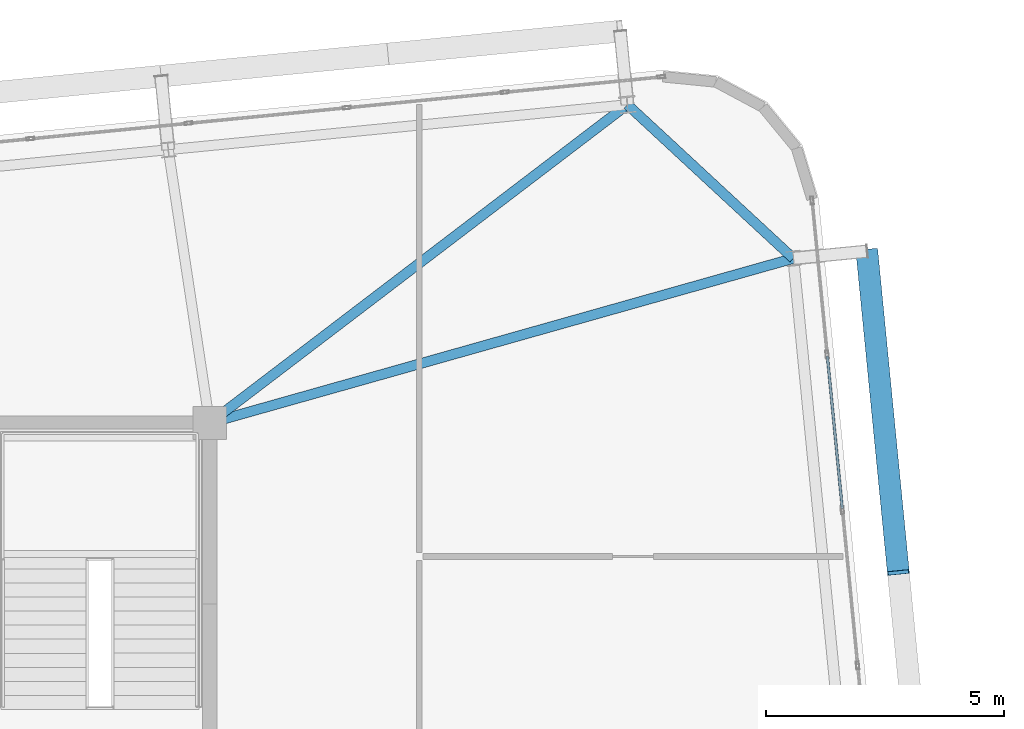
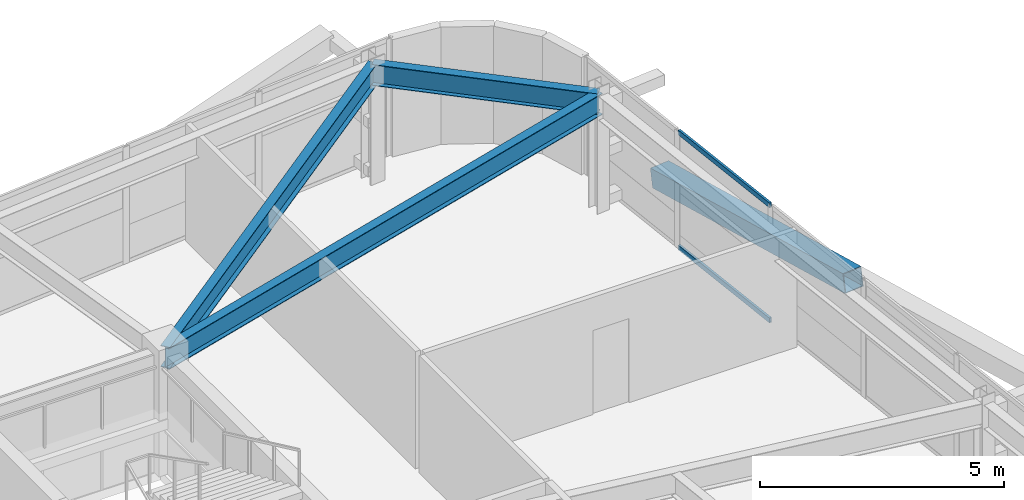
# One storey, part 34 of 54: 3 beams, 3 members, 1 element without a shape of its own.
"""IFC4 building model written with IfcOpenShell, lengths in metres."""

import ifcopenshell
import ifcopenshell.guid

model = None  # the IFC model being written
_history = None  # IfcOwnerHistory: only IFC2X3 demands one
_inside = {}  # id of a spatial element -> (the spatial element, [elements in it])
_under = {}  # id of a project, library or spatial element -> (it, [spatial elements below it])
_declared = {}  # id of a project -> (the project, [libraries it declares])
_typed = {}  # id of a type object -> (the type object, [elements of that type])
_made_of = {}  # id of a material, layer set ... -> (it, [elements and type objects made of it])


def new_model(schema):
    """Start an empty IFC model of exactly this schema.

    Asked for "IFC4X3", IfcOpenShell would pick the latest addendum, in which some entities
    have other attributes; the version numbers below select the first issue.
    IFC2X3 requires an IfcOwnerHistory on every rooted entity: one is made here for all.
    """
    global model, _history
    if schema == "IFC4X3":
        model = ifcopenshell.file(schema_version=(4, 3, 0, 0))
    else:
        model = ifcopenshell.file(schema=schema)
    _inside.clear()
    _under.clear()
    _declared.clear()
    _typed.clear()
    _made_of.clear()
    _history = None
    if model.schema == "IFC2X3":
        org = make("IfcOrganization", Name="unknown")
        user = make(
            "IfcPersonAndOrganization",
            ThePerson=make("IfcPerson", FamilyName="unknown"),
            TheOrganization=org,
        )
        app = make(
            "IfcApplication",
            ApplicationDeveloper=org,
            Version="unknown",
            ApplicationFullName="unknown",
            ApplicationIdentifier="unknown",
        )
        _history = make(
            "IfcOwnerHistory",
            OwningUser=user,
            OwningApplication=app,
            ChangeAction="ADDED",
            CreationDate=0,
        )
    return model


def make(cls, **values):
    """One entity of the class cls with the attributes given. An attribute that is None is left unset."""
    return model.create_entity(
        cls, **{name: value for name, value in values.items() if value is not None}
    )


def rooted(cls, **values):
    """An entity with a GlobalId (a new one), such as an element, a storey or a relation."""
    return make(cls, GlobalId=ifcopenshell.guid.new(), OwnerHistory=_history, **values)


def si_unit(unit_type, name, prefix=None):
    """IfcSIUnit, for example si_unit("LENGTHUNIT", "METRE", prefix="MILLI")."""
    return make("IfcSIUnit", UnitType=unit_type, Prefix=prefix, Name=name)


def assignment(units):
    """IfcUnitAssignment: the units of a project."""
    return None if units is None else make("IfcUnitAssignment", Units=units)


def point(xyz):
    """IfcCartesianPoint."""
    return None if xyz is None else make("IfcCartesianPoint", Coordinates=xyz)


def direction(xyz):
    """IfcDirection."""
    return None if xyz is None else make("IfcDirection", DirectionRatios=xyz)


def frame(location, z_axis=None, x_axis=None):
    """IfcAxis2Placement3D, a coordinate frame: its origin and axes. An axis left out is left unset."""
    return make(
        "IfcAxis2Placement3D",
        Location=point(location),
        Axis=direction(z_axis),
        RefDirection=direction(x_axis),
    )


def frame_2d(location, x_axis=None):
    """IfcAxis2Placement2D, a coordinate frame in the plane: its origin and x axis."""
    return make(
        "IfcAxis2Placement2D", Location=point(location), RefDirection=direction(x_axis)
    )


def origin():
    """The frame at (0, 0, 0) with its axes left unset."""
    return frame((0.0, 0.0, 0.0))


def origin_2d():
    """The frame at (0, 0) in the plane with its x axis left unset."""
    return frame_2d((0.0, 0.0))


def place(relative_to, where):
    """IfcLocalPlacement: puts the frame where relative to a parent placement (None: the world)."""
    return make(
        "IfcLocalPlacement", PlacementRelTo=relative_to, RelativePlacement=where
    )


def context(
    kind, dimensions, precision=None, world=None, true_north=None, identifier=None
):
    """IfcGeometricRepresentationContext, for example the 3D "Model" context."""
    return make(
        "IfcGeometricRepresentationContext",
        ContextIdentifier=identifier,
        ContextType=kind,
        CoordinateSpaceDimension=dimensions,
        Precision=precision,
        WorldCoordinateSystem=world,
        TrueNorth=true_north,
    )


def subcontext(parent, identifier, kind, view, scale=None):
    """IfcGeometricRepresentationSubContext, for example "Body" below "Model"."""
    return make(
        "IfcGeometricRepresentationSubContext",
        ContextIdentifier=identifier,
        ContextType=kind,
        ParentContext=parent,
        TargetScale=scale,
        TargetView=view,
    )


def project(units=None, contexts=None):
    """IfcProject with its units and contexts."""
    return rooted(
        "IfcProject",
        Name="project",
        RepresentationContexts=contexts,
        UnitsInContext=assignment(units),
    )


def spatial(cls, under=None, at=None, **own):
    """A site, building, storey or space (cls), placed at a placement, below another one or the project."""
    s = rooted(cls, ObjectPlacement=at, **own)
    if under is not None:
        _under.setdefault(under.id(), (under, []))[1].append(s)
    return s


def profile(cls, at=None, kind="AREA", **sizes):
    """A parametric profile (cls). Its sizes go by their IFC names, for example OverallWidth=200.0."""
    return make(cls, ProfileType=kind, Position=at, **sizes)


def hollow_rectangle(**sizes):
    """IfcRectangleHollowProfileDef."""
    return profile("IfcRectangleHollowProfileDef", **sizes)


def i_section(**sizes):
    """IfcIShapeProfileDef."""
    return profile("IfcIShapeProfileDef", **sizes)


def extrude(swept, where, along, depth):
    """IfcExtrudedAreaSolid: the profile swept, set in the frame where, extruded along a direction by depth."""
    return make(
        "IfcExtrudedAreaSolid",
        SweptArea=swept,
        Position=where,
        ExtrudedDirection=direction(along),
        Depth=depth,
    )


def shape(context_of_items, identifier, shape_type, items):
    """IfcShapeRepresentation: the items that make up one representation, for example the "Body"."""
    return make(
        "IfcShapeRepresentation",
        ContextOfItems=context_of_items,
        RepresentationIdentifier=identifier,
        RepresentationType=shape_type,
        Items=items,
    )


def source(mapping_origin, context_of_items, identifier, shape_type, items):
    """IfcRepresentationMap: a shape defined once, which mapped items show again and again."""
    return make(
        "IfcRepresentationMap",
        MappingOrigin=mapping_origin,
        MappedRepresentation=shape(context_of_items, identifier, shape_type, items),
    )


def transform(
    local_origin,
    x_axis=None,
    y_axis=None,
    z_axis=None,
    scale=None,
    scale2=None,
    scale3=None,
    uniform=True,
):
    """IfcCartesianTransformationOperator3D, or its non-uniform kind. x_axis, y_axis, z_axis: its Axis1, 2, 3."""
    if uniform:
        return make(
            "IfcCartesianTransformationOperator3D",
            Axis1=direction(x_axis),
            Axis2=direction(y_axis),
            LocalOrigin=point(local_origin),
            Scale=scale,
            Axis3=direction(z_axis),
        )
    return make(
        "IfcCartesianTransformationOperator3DnonUniform",
        Axis1=direction(x_axis),
        Axis2=direction(y_axis),
        LocalOrigin=point(local_origin),
        Scale=scale,
        Axis3=direction(z_axis),
        Scale2=scale2,
        Scale3=scale3,
    )


def mapped(mapping_source, mapping_target):
    """IfcMappedItem: shows the shape of a source again, moved by a transform."""
    return make(
        "IfcMappedItem", MappingSource=mapping_source, MappingTarget=mapping_target
    )


def material(Name=None, Category=None):
    """IfcMaterial."""
    return make("IfcMaterial", Name=Name, Category=Category)


def layer(
    of_material, thickness, ventilated=None, Name=None, Category=None, Priority=None
):
    """IfcMaterialLayer: one layer of a wall or slab, of a material (None: an air gap)."""
    return make(
        "IfcMaterialLayer",
        Material=of_material,
        LayerThickness=thickness,
        IsVentilated=ventilated,
        Name=Name,
        Category=Category,
        Priority=Priority,
    )


def layer_set(layers, Name=None):
    """IfcMaterialLayerSet."""
    return make("IfcMaterialLayerSet", MaterialLayers=layers, LayerSetName=Name)


def material_profile(
    of_material, cross_section, Name=None, Category=None, Priority=None
):
    """IfcMaterialProfile: a cross section and its material."""
    return make(
        "IfcMaterialProfile",
        Name=Name,
        Material=of_material,
        Profile=cross_section,
        Priority=Priority,
        Category=Category,
    )


def profile_set(profiles, Name=None, composite=None):
    """IfcMaterialProfileSet."""
    return make(
        "IfcMaterialProfileSet",
        Name=Name,
        MaterialProfiles=profiles,
        CompositeProfile=composite,
    )


def made_of(thing, what):
    """Note that an element or type object is made of a material, layer set ...; save() writes the relation."""
    if what is not None:
        _made_of.setdefault(what.id(), (what, []))[1].append(thing)
    return thing


def type_object(cls, material=None, **own):
    """A type object (cls), such as IfcWallType, which elements share."""
    return made_of(rooted(cls, **own), material)


def element(
    cls,
    number,
    at=None,
    inside=None,
    cuts=None,
    type_object=None,
    material=None,
    context=None,
    identifier="Body",
    shape_type=None,
    held_by="IfcProductDefinitionShape",
    body=None,
    shapes=None,
    **own,
):
    """One element of the class cls, such as IfcWall. Its Tag is "e" and its number.

    at: its placement. inside: the storey or other place that contains it. cuts: it is an
    opening in that element (IfcRelVoidsElement). A single representation is given by context,
    identifier, shape_type and body (its items); several are given by shapes. held_by: the class
    of the entity that holds the representations. save() writes the other relations.
    """
    e = rooted(cls, Tag="e%d" % number, ObjectPlacement=at, **own)
    if body is not None:
        shapes = [shape(context, identifier, shape_type, body)]
    if shapes is not None:
        e.Representation = make(held_by, Representations=shapes)
    if inside is not None:
        _inside.setdefault(inside.id(), (inside, []))[1].append(e)
    if cuts is not None:
        rooted(
            "IfcRelVoidsElement", RelatingBuildingElement=cuts, RelatedOpeningElement=e
        )
    if type_object is not None:
        _typed.setdefault(type_object.id(), (type_object, []))[1].append(e)
    return made_of(e, material)


def aggregate(whole, parts):
    """IfcRelAggregates: a whole, such as a stair, and the parts it consists of."""
    return rooted("IfcRelAggregates", RelatingObject=whole, RelatedObjects=parts)


def save(model, path):
    """Write the relations noted so far, then the file.

    IfcRelAggregates (storeys below a building ...), IfcRelContainedInSpatialStructure (elements
    in a storey), IfcRelDefinesByType, IfcRelAssociatesMaterial and IfcRelDeclares: one each for
    every whole, place, type object, material and project.
    """
    for whole, parts in _under.values():
        aggregate(whole, parts)
    for where, things in _inside.values():
        rooted(
            "IfcRelContainedInSpatialStructure",
            RelatedElements=things,
            RelatingStructure=where,
        )
    for kind, things in _typed.values():
        rooted("IfcRelDefinesByType", RelatedObjects=things, RelatingType=kind)
    for what, things in _made_of.values():
        rooted("IfcRelAssociatesMaterial", RelatedObjects=things, RelatingMaterial=what)
    for by, libraries in _declared.values():
        rooted("IfcRelDeclares", RelatingContext=by, RelatedDefinitions=libraries)
    model.write(path)


model = new_model("IFC4")

# Units and contexts
model_context = context("Model", 3, precision=1e-05, world=origin(), true_north=direction((0.0, 1.0)))
body_context = subcontext(model_context, "Body", "Model", "MODEL_VIEW")
ifc_project = project(units=[si_unit("LENGTHUNIT", "METRE"), si_unit("AREAUNIT", "SQUARE_METRE"), si_unit("VOLUMEUNIT", "CUBIC_METRE"), si_unit("PLANEANGLEUNIT", "RADIAN"), si_unit("MASSUNIT", "GRAM", prefix="KILO")], contexts=[model_context])

# Site, building, storey
site_placement = place(None, origin())
site = spatial("IfcSite", under=ifc_project, at=site_placement, CompositionType="ELEMENT")
building_placement = place(site_placement, origin())
building = spatial("IfcBuilding", under=site, at=building_placement, Name="Taldren Reach Tower", CompositionType="ELEMENT")
storey_placement = place(building_placement, frame((0.0, 0.0, 99.75)))
storey = spatial("IfcBuildingStorey", under=building, at=storey_placement, Name="L30", CompositionType="ELEMENT", Elevation=99.75)

# Beams
ifc_material_1 = material(Name="Steel Gr 350 (350PLUS)", Category="steel")
ifc_material_profile_1 = material_profile(ifc_material_1, i_section(OverallWidth=0.208984375, OverallDepth=0.528076171875, WebThickness=0.009521484375, FlangeThickness=0.01318359375, at=origin_2d()), Name="530UB82.0")
ifc_profile_set_1 = profile_set([ifc_material_profile_1], Name="Steel Gr 350 (350PLUS)")
beam_type_1 = type_object("IfcBeamType", Name="SP-UB530B", PredefinedType="SPANDREL", material=ifc_profile_set_1)
shared_shape_1 = source(origin(), body_context, "Body", "SweptSolid", [
    extrude(i_section(OverallWidth=0.208984375, OverallDepth=0.528076171875, WebThickness=0.009521484375, FlangeThickness=0.01318359375, at=origin_2d()), origin(), (0.0, 0.0, 1.0), 4.74609375),
])
beam_1_placement = place(storey_placement, frame((63.247314453125, 35.454345703125, 2.666015625), z_axis=(-0.733547883762, 0.679637772809, 0.0), x_axis=(-0.679637772809, -0.733547883762, 0.0)))
element("IfcBeam", 1, at=beam_1_placement, inside=storey, type_object=beam_type_1, Name="Perimeter spandrel B2 E3-N6 L30", PredefinedType="SPANDREL", context=body_context, shape_type="MappedRepresentation", body=[
    mapped(shared_shape_1, transform((0.0, 0.0, 0.0), scale=1.0)),
])
ifc_material_profile_2 = material_profile(ifc_material_1, i_section(OverallWidth=0.208984375, OverallDepth=0.532958984375, WebThickness=0.01025390625, FlangeThickness=0.015625, at=origin_2d()), Name="530UB92.4")
ifc_profile_set_2 = profile_set([ifc_material_profile_2], Name="Steel Gr 350 (350PLUS)")
beam_type_2 = type_object("IfcBeamType", Name="BM-UB530A", PredefinedType="BEAM", material=ifc_profile_set_2)
shared_shape_2 = source(origin(), body_context, "Body", "SweptSolid", [
    extrude(i_section(OverallWidth=0.208984375, OverallDepth=0.532958984375, WebThickness=0.01025390625, FlangeThickness=0.015625, at=origin_2d()), origin(), (0.0, 0.0, 1.0), 12.72509765625),
])
beam_2_placement = place(storey_placement, frame((51.0, 32.0, 2.66357421875), z_axis=(0.962450190096, 0.271458342264, 0.0), x_axis=(-0.271458342264, 0.962450190096, 0.0)))
element("IfcBeam", 2, at=beam_2_placement, inside=storey, type_object=beam_type_2, Name="Primary floor girder B2-E3 L30", PredefinedType="BEAM", context=body_context, shape_type="MappedRepresentation", body=[
    mapped(shared_shape_2, transform((0.0, 0.0, 0.0), scale=1.0)),
])
shared_shape_3 = source(origin(), body_context, "Body", "SweptSolid", [
    extrude(i_section(OverallWidth=0.208984375, OverallDepth=0.532958984375, WebThickness=0.01025390625, FlangeThickness=0.015625, at=origin_2d()), origin(), (0.0, 0.0, 1.0), 11.02099609375),
])
beam_3_placement = place(storey_placement, frame((51.0, 32.0, 2.66357421875), z_axis=(0.795380356763, 0.606110623629, 0.0), x_axis=(-0.606110623629, 0.795380356763, 0.0)))
element("IfcBeam", 3, at=beam_3_placement, inside=storey, type_object=beam_type_2, Name="Primary floor girder B2-N6 L30", PredefinedType="BEAM", context=body_context, shape_type="MappedRepresentation", body=[
    mapped(shared_shape_3, transform((0.0, 0.0, 0.0), scale=1.0)),
])

# Member
ifc_material_2 = material(Name="Steel Gr 450 (C450L0)", Category="steel")
ifc_material_profile_3 = material_profile(ifc_material_2, hollow_rectangle(XDim=0.4599609375, YDim=0.4599609375, WallThickness=0.01611328125, at=origin_2d()), Name="460x460x16.0SHS")
ifc_profile_set_3 = profile_set([ifc_material_profile_3], Name="Steel Gr 450 (C450L0)")
member_type_1 = type_object("IfcMemberType", Name="MB-EXO457", PredefinedType="BRACE", material=ifc_profile_set_3)
shared_shape_4 = source(origin(), body_context, "Body", "SweptSolid", [
    extrude(hollow_rectangle(XDim=0.4599609375, YDim=0.4599609375, WallThickness=0.01611328125, at=origin_2d()), origin(), (0.0, 0.0, 1.0), 6.883056640625),
])
member_1_placement = place(storey_placement, frame((64.789794921875, 35.60546875, 0.219970703125), z_axis=(0.09605145821, -0.97959718347, 0.176531797456), x_axis=(0.995227290009, 0.097584021339, 0.0)))
element("IfcMember", 4, at=member_1_placement, inside=storey, type_object=member_type_1, Name="Exoskeleton Diagrid Brace B2-E2 L30", PredefinedType="BRACE", context=body_context, shape_type="MappedRepresentation", body=[
    mapped(shared_shape_4, transform((0.0, 0.0, 0.0), scale=1.0)),
])

# Curtain wall, members
ifc_material_3 = material(Name="Aluminium and Low-E Glass Unitised System", Category="aluminium")
ifc_layer = layer(ifc_material_3, 0.159912109375)
ifc_layer_set = layer_set([ifc_layer], Name="Aluminium and Low-E Glass Unitised System")
curtain_wall_type = type_object("IfcCurtainWallType", Name="CW-SYS-3", PredefinedType="NOTDEFINED", material=ifc_layer_set)
curtain_wall_placement = place(storey_placement, origin())
curtain_wall = element("IfcCurtainWall", 5, at=curtain_wall_placement, inside=storey, type_object=curtain_wall_type, Name="Unitised curtain wall CW-L30-E", PredefinedType="NOTDEFINED")
ifc_material_4 = material(Name="Anodised Aluminium 6063-T6", Category="aluminium")
ifc_material_profile_4 = material_profile(ifc_material_4, hollow_rectangle(XDim=0.054931640625, YDim=0.1201171875, WallThickness=0.0029296875, at=origin_2d()), Name="ALU-120x55x3RHS")
ifc_profile_set_4 = profile_set([ifc_material_profile_4], Name="Anodised Aluminium 6063-T6")
member_type_2 = type_object("IfcMemberType", Name="CW-TRN-135", PredefinedType="USERDEFINED", material=ifc_profile_set_4)
shared_shape_5 = source(origin(), body_context, "Body", "SweptSolid", [
    extrude(hollow_rectangle(XDim=0.054931640625, YDim=0.1201171875, WallThickness=0.0029296875, at=origin_2d()), origin(), (0.0, 0.0, 1.0), 3.212890625),
])
member_2_placement = place(storey_placement, frame((64.274169921875, 30.206298828125, 0.027587890625), z_axis=(-0.097569948235, 0.995228669805, 0.0), x_axis=(-0.995228669805, -0.097569948235, 0.0)))
member_2 = element("IfcMember", 6, at=member_2_placement, type_object=member_type_2, Name="CW-3 transom 8.1", ObjectType="TRANSOM", PredefinedType="USERDEFINED", context=body_context, shape_type="MappedRepresentation", body=[
    mapped(shared_shape_5, transform((0.0, 0.0, 0.0), scale=1.0)),
])
member_3_placement = place(storey_placement, frame((64.274169921875, 30.206298828125, 2.902587890625), z_axis=(-0.097569948235, 0.995228669805, 0.0), x_axis=(-0.995228669805, -0.097569948235, 0.0)))
member_3 = element("IfcMember", 7, at=member_3_placement, type_object=member_type_2, Name="CW-3 transom 8.2", ObjectType="TRANSOM", PredefinedType="USERDEFINED", context=body_context, shape_type="MappedRepresentation", body=[
    mapped(shared_shape_5, transform((0.0, 0.0, 0.0), scale=1.0)),
])
aggregate(curtain_wall, [member_2, member_3])

save(model, "model.ifc")
